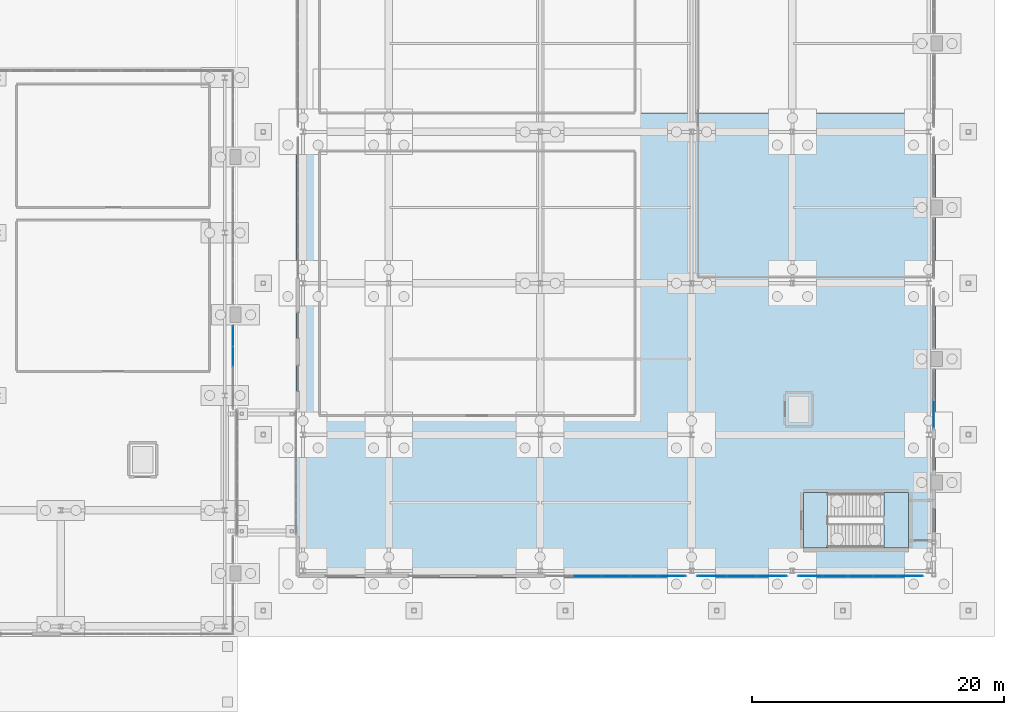
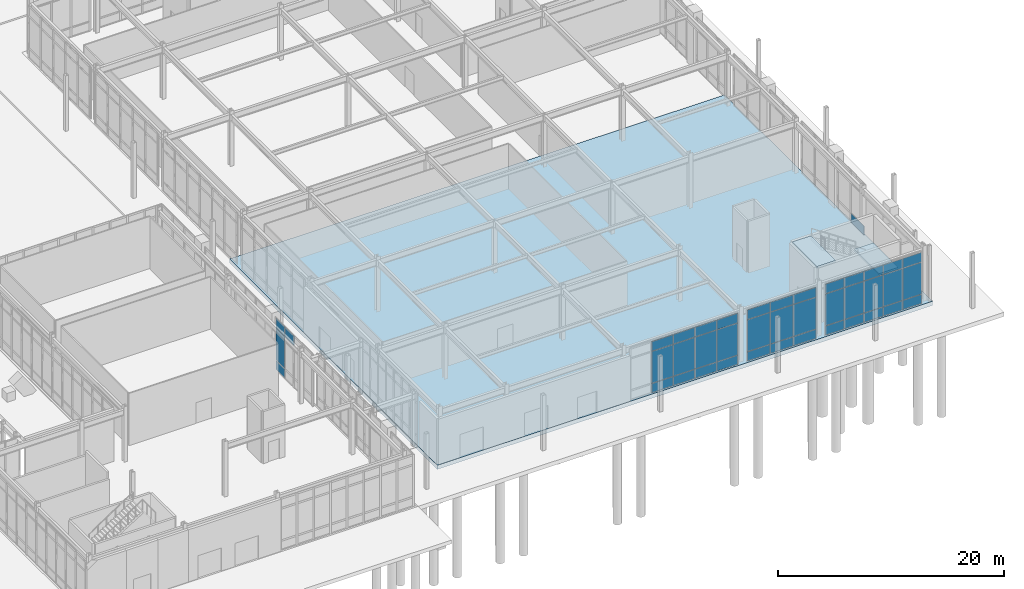
# One storey, part 89 of 143: 41 plates, 3 slabs, 6 elements without a shape of their own.
"""IFC4 building model written with IfcOpenShell, lengths in metres."""

import ifcopenshell
import ifcopenshell.guid

model = None  # the IFC model being written
_history = None  # IfcOwnerHistory: only IFC2X3 demands one
_inside = {}  # id of a spatial element -> (the spatial element, [elements in it])
_under = {}  # id of a project, library or spatial element -> (it, [spatial elements below it])
_declared = {}  # id of a project -> (the project, [libraries it declares])
_typed = {}  # id of a type object -> (the type object, [elements of that type])
_made_of = {}  # id of a material, layer set ... -> (it, [elements and type objects made of it])


def new_model(schema):
    """Start an empty IFC model of exactly this schema.

    Asked for "IFC4X3", IfcOpenShell would pick the latest addendum, in which some entities
    have other attributes; the version numbers below select the first issue.
    IFC2X3 requires an IfcOwnerHistory on every rooted entity: one is made here for all.
    """
    global model, _history
    if schema == "IFC4X3":
        model = ifcopenshell.file(schema_version=(4, 3, 0, 0))
    else:
        model = ifcopenshell.file(schema=schema)
    _inside.clear()
    _under.clear()
    _declared.clear()
    _typed.clear()
    _made_of.clear()
    _history = None
    if model.schema == "IFC2X3":
        org = make("IfcOrganization", Name="unknown")
        user = make(
            "IfcPersonAndOrganization",
            ThePerson=make("IfcPerson", FamilyName="unknown"),
            TheOrganization=org,
        )
        app = make(
            "IfcApplication",
            ApplicationDeveloper=org,
            Version="unknown",
            ApplicationFullName="unknown",
            ApplicationIdentifier="unknown",
        )
        _history = make(
            "IfcOwnerHistory",
            OwningUser=user,
            OwningApplication=app,
            ChangeAction="ADDED",
            CreationDate=0,
        )
    return model


def make(cls, **values):
    """One entity of the class cls with the attributes given. An attribute that is None is left unset."""
    return model.create_entity(
        cls, **{name: value for name, value in values.items() if value is not None}
    )


def rooted(cls, **values):
    """An entity with a GlobalId (a new one), such as an element, a storey or a relation."""
    return make(cls, GlobalId=ifcopenshell.guid.new(), OwnerHistory=_history, **values)


def si_unit(unit_type, name, prefix=None):
    """IfcSIUnit, for example si_unit("LENGTHUNIT", "METRE", prefix="MILLI")."""
    return make("IfcSIUnit", UnitType=unit_type, Prefix=prefix, Name=name)


def derived_unit(unit_type, elements):
    """IfcDerivedUnit: a product of units, each with its exponent."""
    return make(
        "IfcDerivedUnit",
        Elements=[
            make("IfcDerivedUnitElement", Unit=unit, Exponent=power)
            for unit, power in elements
        ],
        UnitType=unit_type,
    )


def assignment(units):
    """IfcUnitAssignment: the units of a project."""
    return None if units is None else make("IfcUnitAssignment", Units=units)


def point(xyz):
    """IfcCartesianPoint."""
    return None if xyz is None else make("IfcCartesianPoint", Coordinates=xyz)


def direction(xyz):
    """IfcDirection."""
    return None if xyz is None else make("IfcDirection", DirectionRatios=xyz)


def frame(location, z_axis=None, x_axis=None):
    """IfcAxis2Placement3D, a coordinate frame: its origin and axes. An axis left out is left unset."""
    return make(
        "IfcAxis2Placement3D",
        Location=point(location),
        Axis=direction(z_axis),
        RefDirection=direction(x_axis),
    )


def frame_2d(location, x_axis=None):
    """IfcAxis2Placement2D, a coordinate frame in the plane: its origin and x axis."""
    return make(
        "IfcAxis2Placement2D", Location=point(location), RefDirection=direction(x_axis)
    )


def origin():
    """The frame at (0, 0, 0) with its axes left unset."""
    return frame((0.0, 0.0, 0.0))


def origin_2d():
    """The frame at (0, 0) in the plane with its x axis left unset."""
    return frame_2d((0.0, 0.0))


def place(relative_to, where):
    """IfcLocalPlacement: puts the frame where relative to a parent placement (None: the world)."""
    return make(
        "IfcLocalPlacement", PlacementRelTo=relative_to, RelativePlacement=where
    )


def context(
    kind, dimensions, precision=None, world=None, true_north=None, identifier=None
):
    """IfcGeometricRepresentationContext, for example the 3D "Model" context."""
    return make(
        "IfcGeometricRepresentationContext",
        ContextIdentifier=identifier,
        ContextType=kind,
        CoordinateSpaceDimension=dimensions,
        Precision=precision,
        WorldCoordinateSystem=world,
        TrueNorth=true_north,
    )


def subcontext(parent, identifier, kind, view, scale=None):
    """IfcGeometricRepresentationSubContext, for example "Body" below "Model"."""
    return make(
        "IfcGeometricRepresentationSubContext",
        ContextIdentifier=identifier,
        ContextType=kind,
        ParentContext=parent,
        TargetScale=scale,
        TargetView=view,
    )


def project(units=None, contexts=None):
    """IfcProject with its units and contexts."""
    return rooted(
        "IfcProject",
        Name="project",
        RepresentationContexts=contexts,
        UnitsInContext=assignment(units),
    )


def spatial(cls, under=None, at=None, **own):
    """A site, building, storey or space (cls), placed at a placement, below another one or the project."""
    s = rooted(cls, ObjectPlacement=at, **own)
    if under is not None:
        _under.setdefault(under.id(), (under, []))[1].append(s)
    return s


def polyline(points):
    """IfcPolyline through the points."""
    return make("IfcPolyline", Points=[point(p) for p in points])


def profile(cls, at=None, kind="AREA", **sizes):
    """A parametric profile (cls). Its sizes go by their IFC names, for example OverallWidth=200.0."""
    return make(cls, ProfileType=kind, Position=at, **sizes)


def rectangle(**sizes):
    """IfcRectangleProfileDef."""
    return profile("IfcRectangleProfileDef", **sizes)


def outline(outer, holes=None, kind="AREA"):
    """IfcArbitraryClosedProfileDef: a profile drawn as a closed curve; with holes, ...WithVoids."""
    if holes is None:
        return make("IfcArbitraryClosedProfileDef", ProfileType=kind, OuterCurve=outer)
    return make(
        "IfcArbitraryProfileDefWithVoids",
        ProfileType=kind,
        OuterCurve=outer,
        InnerCurves=holes,
    )


def extrude(swept, where, along, depth):
    """IfcExtrudedAreaSolid: the profile swept, set in the frame where, extruded along a direction by depth."""
    return make(
        "IfcExtrudedAreaSolid",
        SweptArea=swept,
        Position=where,
        ExtrudedDirection=direction(along),
        Depth=depth,
    )


def shape(context_of_items, identifier, shape_type, items):
    """IfcShapeRepresentation: the items that make up one representation, for example the "Body"."""
    return make(
        "IfcShapeRepresentation",
        ContextOfItems=context_of_items,
        RepresentationIdentifier=identifier,
        RepresentationType=shape_type,
        Items=items,
    )


def material(Name=None, Category=None):
    """IfcMaterial."""
    return make("IfcMaterial", Name=Name, Category=Category)


def layer(
    of_material, thickness, ventilated=None, Name=None, Category=None, Priority=None
):
    """IfcMaterialLayer: one layer of a wall or slab, of a material (None: an air gap)."""
    return make(
        "IfcMaterialLayer",
        Material=of_material,
        LayerThickness=thickness,
        IsVentilated=ventilated,
        Name=Name,
        Category=Category,
        Priority=Priority,
    )


def layer_set(layers, Name=None):
    """IfcMaterialLayerSet."""
    return make("IfcMaterialLayerSet", MaterialLayers=layers, LayerSetName=Name)


def made_of(thing, what):
    """Note that an element or type object is made of a material, layer set ...; save() writes the relation."""
    if what is not None:
        _made_of.setdefault(what.id(), (what, []))[1].append(thing)
    return thing


def type_object(cls, material=None, **own):
    """A type object (cls), such as IfcWallType, which elements share."""
    return made_of(rooted(cls, **own), material)


def element(
    cls,
    number,
    at=None,
    inside=None,
    cuts=None,
    type_object=None,
    material=None,
    context=None,
    identifier="Body",
    shape_type=None,
    held_by="IfcProductDefinitionShape",
    body=None,
    shapes=None,
    **own,
):
    """One element of the class cls, such as IfcWall. Its Tag is "e" and its number.

    at: its placement. inside: the storey or other place that contains it. cuts: it is an
    opening in that element (IfcRelVoidsElement). A single representation is given by context,
    identifier, shape_type and body (its items); several are given by shapes. held_by: the class
    of the entity that holds the representations. save() writes the other relations.
    """
    e = rooted(cls, Tag="e%d" % number, ObjectPlacement=at, **own)
    if body is not None:
        shapes = [shape(context, identifier, shape_type, body)]
    if shapes is not None:
        e.Representation = make(held_by, Representations=shapes)
    if inside is not None:
        _inside.setdefault(inside.id(), (inside, []))[1].append(e)
    if cuts is not None:
        rooted(
            "IfcRelVoidsElement", RelatingBuildingElement=cuts, RelatedOpeningElement=e
        )
    if type_object is not None:
        _typed.setdefault(type_object.id(), (type_object, []))[1].append(e)
    return made_of(e, material)


def aggregate(whole, parts):
    """IfcRelAggregates: a whole, such as a stair, and the parts it consists of."""
    return rooted("IfcRelAggregates", RelatingObject=whole, RelatedObjects=parts)


def save(model, path):
    """Write the relations noted so far, then the file.

    IfcRelAggregates (storeys below a building ...), IfcRelContainedInSpatialStructure (elements
    in a storey), IfcRelDefinesByType, IfcRelAssociatesMaterial and IfcRelDeclares: one each for
    every whole, place, type object, material and project.
    """
    for whole, parts in _under.values():
        aggregate(whole, parts)
    for where, things in _inside.values():
        rooted(
            "IfcRelContainedInSpatialStructure",
            RelatedElements=things,
            RelatingStructure=where,
        )
    for kind, things in _typed.values():
        rooted("IfcRelDefinesByType", RelatedObjects=things, RelatingType=kind)
    for what, things in _made_of.values():
        rooted("IfcRelAssociatesMaterial", RelatedObjects=things, RelatingMaterial=what)
    for by, libraries in _declared.values():
        rooted("IfcRelDeclares", RelatingContext=by, RelatedDefinitions=libraries)
    model.write(path)


model = new_model("IFC4")

# Units and contexts
model_context = context("Model", 3, precision=1e-05, world=origin(), true_north=direction((0.0, 1.0)))
body_context = subcontext(model_context, "Body", "Model", "MODEL_VIEW")
ifc_project = project(units=[si_unit("LENGTHUNIT", "METRE"), si_unit("AREAUNIT", "SQUARE_METRE"), si_unit("VOLUMEUNIT", "CUBIC_METRE"), si_unit("PLANEANGLEUNIT", "RADIAN"), si_unit("MASSUNIT", "GRAM", prefix="KILO"), derived_unit("THERMALTRANSMITTANCEUNIT", [(si_unit("MASSUNIT", "GRAM", prefix="KILO"), 1), (si_unit("TIMEUNIT", "SECOND"), -3), (si_unit("THERMODYNAMICTEMPERATUREUNIT", "KELVIN"), -1)])], contexts=[model_context])

# Site, building, storey
site_placement = place(None, origin())
site = spatial("IfcSite", under=ifc_project, at=site_placement, CompositionType="ELEMENT")
building_placement = place(site_placement, origin())
building = spatial("IfcBuilding", under=site, at=building_placement, Name="Valcora Ridge Arena", CompositionType="ELEMENT")
storey_placement = place(building_placement, origin())
storey = spatial("IfcBuildingStorey", under=building, at=storey_placement, Name="L00", CompositionType="ELEMENT", Elevation=0.0)

# Stair, slabs
ifc_material_1 = material(Name="Concrete C40/50", Category="concrete")
stair_type = type_object("IfcStairType", Name="TY-STAIR-ST11-60", PredefinedType="HALF_TURN_STAIR", material=ifc_material_1)
stair_placement = place(storey_placement, origin())
stair = element("IfcStair", 1, at=stair_placement, inside=storey, type_object=stair_type, Name="ST11-60 STR-CR-0045", PredefinedType="HALF_TURN_STAIR")
ifc_layer_1 = layer(ifc_material_1, 0.199951171875, Name="Concrete C40/50")
ifc_layer_set_1 = layer_set([ifc_layer_1], Name="Concrete C40/50")
slab_type_1 = type_object("IfcSlabType", Name="TY-LAND-ST11-60", PredefinedType="LANDING", material=ifc_layer_set_1)
slab_1_placement = place(storey_placement, frame((0.0, 0.0, 2.800048828125)))
slab_1 = element("IfcSlab", 2, at=slab_1_placement, type_object=slab_type_1, Name="ST11-60 landing 1", PredefinedType="LANDING", context=body_context, shape_type="SweptSolid", body=[
    extrude(outline(polyline([(183.25, 7.001953125), (185.197998046875, 7.001953125), (185.197998046875, 11.39794921875), (183.25, 11.39794921875), (183.25, 7.001953125)])), origin(), (0.0, 0.0, 1.0), 0.199951171875),
])
slab_2_placement = place(storey_placement, frame((0.0, 0.0, 5.800048828125)))
slab_2 = element("IfcSlab", 3, at=slab_2_placement, type_object=slab_type_1, Name="ST11-60 landing 2", PredefinedType="LANDING", context=body_context, shape_type="SweptSolid", body=[
    extrude(outline(polyline([(176.882080078125, 7.001953125), (178.81005859375, 7.001953125), (178.81005859375, 11.39794921875), (176.882080078125, 11.39794921875), (176.882080078125, 7.001953125)])), origin(), (0.0, 0.0, 1.0), 0.199951171875),
])
aggregate(stair, [slab_1, slab_2])

# Curtain wall, plates
ifc_material_2 = material(Name="Anodised dark bronze architectural aluminium 6063-T6", Category="aluminium")
ifc_layer_2 = layer(ifc_material_2, 0.179931640625, Name="Anodised dark bronze architectural aluminium 6063-T6")
ifc_layer_set_2 = layer_set([ifc_layer_2], Name="Anodised dark bronze architectural aluminium 6063-T6")
curtain_wall_type_1 = type_object("IfcCurtainWallType", Name="TY-CURTAINWALL-CW-V3-LANCET-066X56", PredefinedType="NOTDEFINED", material=ifc_layer_set_2)
curtain_wall_1_placement = place(storey_placement, origin())
curtain_wall_1 = element("IfcCurtainWall", 4, at=curtain_wall_1_placement, inside=storey, type_object=curtain_wall_type_1, Name="CW-V3-LANCET-066X56 CW-0004", PredefinedType="NOTDEFINED")
ifc_material_3 = material(Name="Low-iron solar-control double glazing SHGC 0.28", Category="glass")
ifc_layer_3 = layer(ifc_material_3, 0.031982421875, Name="Low-iron solar-control double glazing SHGC 0.28")
ifc_layer_set_3 = layer_set([ifc_layer_3], Name="Low-iron solar-control double glazing SHGC 0.28")
plate_type_1 = type_object("IfcPlateType", Name="TY-PLT-CWP-1562X0960", PredefinedType="CURTAIN_PANEL", material=ifc_layer_set_3)
plate_1_placement = place(storey_placement, frame((131.64990234375, 23.819091796875, 0.06005859375), z_axis=(0.0, 0.0, 1.0), x_axis=(0.0, 1.0, 0.0)))
plate_1 = element("IfcPlate", 5, at=plate_1_placement, type_object=plate_type_1, Name="CW-0004/P03-00", PredefinedType="CURTAIN_PANEL", context=body_context, shape_type="SweptSolid", body=[
    extrude(rectangle(XDim=1.56201171875, YDim=0.031982421875, at=origin_2d()), origin(), (0.0, 0.0, 1.0), 0.9599609375),
])
ifc_layer_4 = layer(ifc_material_3, 0.031982421875, Name="Low-iron solar-control double glazing SHGC 0.28")
ifc_layer_set_4 = layer_set([ifc_layer_4], Name="Low-iron solar-control double glazing SHGC 0.28")
plate_type_2 = type_object("IfcPlateType", Name="TY-PLT-CWP-1562X1010", PredefinedType="CURTAIN_PANEL", material=ifc_layer_set_4)
plate_2_placement = place(storey_placement, frame((131.64990234375, 23.819091796875, 4.56982421875), z_axis=(0.0, 0.0, 1.0), x_axis=(0.0, 1.0, 0.0)))
plate_2 = element("IfcPlate", 6, at=plate_2_placement, type_object=plate_type_2, Name="CW-0004/P03-02", PredefinedType="CURTAIN_PANEL", context=body_context, shape_type="SweptSolid", body=[
    extrude(rectangle(XDim=1.56201171875, YDim=0.031982421875, at=origin_2d()), origin(), (0.0, 0.0, 1.0), 1.010009765625),
])
ifc_layer_5 = layer(ifc_material_3, 0.031982421875, Name="Low-iron solar-control double glazing SHGC 0.28")
ifc_layer_set_5 = layer_set([ifc_layer_5], Name="Low-iron solar-control double glazing SHGC 0.28")
plate_type_3 = type_object("IfcPlateType", Name="TY-PLT-CWP-1562X3430", PredefinedType="CURTAIN_PANEL", material=ifc_layer_set_5)
plate_3_placement = place(storey_placement, frame((131.64990234375, 23.819091796875, 1.080078125), z_axis=(0.0, 0.0, 1.0), x_axis=(0.0, 1.0, 0.0)))
plate_3 = element("IfcPlate", 7, at=plate_3_placement, type_object=plate_type_3, Name="CW-0004/P03-01", PredefinedType="CURTAIN_PANEL", context=body_context, shape_type="SweptSolid", body=[
    extrude(rectangle(XDim=1.56201171875, YDim=0.031982421875, at=origin_2d()), origin(), (0.0, 0.0, 1.0), 3.429931640625),
])
ifc_layer_6 = layer(ifc_material_3, 0.031982421875, Name="Low-iron solar-control double glazing SHGC 0.28")
ifc_layer_set_6 = layer_set([ifc_layer_6], Name="Low-iron solar-control double glazing SHGC 0.28")
plate_type_4 = type_object("IfcPlateType", Name="TY-PLT-CWP-1593X1010", PredefinedType="CURTAIN_PANEL", material=ifc_layer_set_6)
plate_4_placement = place(storey_placement, frame((131.64990234375, 22.181396484375, 4.56982421875), z_axis=(0.0, 0.0, 1.0), x_axis=(0.0, 1.0, 0.0)))
plate_4 = element("IfcPlate", 8, at=plate_4_placement, type_object=plate_type_4, Name="CW-0004/P02-02", PredefinedType="CURTAIN_PANEL", context=body_context, shape_type="SweptSolid", body=[
    extrude(rectangle(XDim=1.593017578125, YDim=0.031982421875, at=origin_2d()), origin(), (0.0, 0.0, 1.0), 1.010009765625),
])
aggregate(curtain_wall_1, [plate_4, plate_1, plate_3, plate_2])

ifc_layer_7 = layer(ifc_material_2, 0.179931640625, Name="Anodised dark bronze architectural aluminium 6063-T6")
ifc_layer_set_7 = layer_set([ifc_layer_7], Name="Anodised dark bronze architectural aluminium 6063-T6")
curtain_wall_type_2 = type_object("IfcCurtainWallType", Name="TY-CURTAINWALL-CW-V2-GLAZ-099X56", PredefinedType="NOTDEFINED", material=ifc_layer_set_7)
curtain_wall_2_placement = place(storey_placement, origin())
curtain_wall_2 = element("IfcCurtainWall", 9, at=curtain_wall_2_placement, inside=storey, type_object=curtain_wall_type_2, Name="CW-V2-GLAZ-099X56 CW-0027", PredefinedType="NOTDEFINED")
ifc_layer_8 = layer(ifc_material_3, 0.028076171875, Name="Low-iron solar-control double glazing SHGC 0.28")
ifc_layer_set_8 = layer_set([ifc_layer_8], Name="Low-iron solar-control double glazing SHGC 0.28")
plate_type_5 = type_object("IfcPlateType", Name="TY-PLT-CWP-1894X0975", PredefinedType="CURTAIN_PANEL", material=ifc_layer_set_8)
plate_5_placement = place(storey_placement, frame((177.446533203125, 4.800048828125, 0.050048828125), z_axis=(0.0, 0.0, 1.0), x_axis=(1.0, 0.0, 0.0)))
plate_5 = element("IfcPlate", 10, at=plate_5_placement, type_object=plate_type_5, Name="CW-0027/P00-00", PredefinedType="CURTAIN_PANEL", context=body_context, shape_type="SweptSolid", body=[
    extrude(rectangle(XDim=1.89404296875, YDim=0.028076171875, at=origin_2d()), origin(), (0.0, 0.0, 1.0), 0.97509765625),
])
plate_6_placement = place(storey_placement, frame((185.353515625, 4.800048828125, 0.050048828125), z_axis=(0.0, 0.0, 1.0), x_axis=(1.0, 0.0, 0.0)))
plate_6 = element("IfcPlate", 11, at=plate_6_placement, type_object=plate_type_5, Name="CW-0027/P04-00", PredefinedType="CURTAIN_PANEL", context=body_context, shape_type="SweptSolid", body=[
    extrude(rectangle(XDim=1.89404296875, YDim=0.028076171875, at=origin_2d()), origin(), (0.0, 0.0, 1.0), 0.97509765625),
])
ifc_layer_9 = layer(ifc_material_3, 0.028076171875, Name="Low-iron solar-control double glazing SHGC 0.28")
ifc_layer_set_9 = layer_set([ifc_layer_9], Name="Low-iron solar-control double glazing SHGC 0.28")
plate_type_6 = type_object("IfcPlateType", Name="TY-PLT-CWP-1894X1025", PredefinedType="CURTAIN_PANEL", material=ifc_layer_set_9)
plate_7_placement = place(storey_placement, frame((177.446533203125, 4.800048828125, 4.545166015625), z_axis=(0.0, 0.0, 1.0), x_axis=(1.0, 0.0, 0.0)))
plate_7 = element("IfcPlate", 12, at=plate_7_placement, type_object=plate_type_6, Name="CW-0027/P00-02", PredefinedType="CURTAIN_PANEL", context=body_context, shape_type="SweptSolid", body=[
    extrude(rectangle(XDim=1.89404296875, YDim=0.028076171875, at=origin_2d()), origin(), (0.0, 0.0, 1.0), 1.02490234375),
])
plate_8_placement = place(storey_placement, frame((185.353515625, 4.800048828125, 4.545166015625), z_axis=(0.0, 0.0, 1.0), x_axis=(1.0, 0.0, 0.0)))
plate_8 = element("IfcPlate", 13, at=plate_8_placement, type_object=plate_type_6, Name="CW-0027/P04-02", PredefinedType="CURTAIN_PANEL", context=body_context, shape_type="SweptSolid", body=[
    extrude(rectangle(XDim=1.89404296875, YDim=0.028076171875, at=origin_2d()), origin(), (0.0, 0.0, 1.0), 1.02490234375),
])
ifc_layer_10 = layer(ifc_material_3, 0.028076171875, Name="Low-iron solar-control double glazing SHGC 0.28")
ifc_layer_set_10 = layer_set([ifc_layer_10], Name="Low-iron solar-control double glazing SHGC 0.28")
plate_type_7 = type_object("IfcPlateType", Name="TY-PLT-CWP-1894X3420", PredefinedType="CURTAIN_PANEL", material=ifc_layer_set_10)
plate_9_placement = place(storey_placement, frame((177.446533203125, 4.800048828125, 1.074951171875), z_axis=(0.0, 0.0, 1.0), x_axis=(1.0, 0.0, 0.0)))
plate_9 = element("IfcPlate", 14, at=plate_9_placement, type_object=plate_type_7, Name="CW-0027/P00-01", PredefinedType="CURTAIN_PANEL", context=body_context, shape_type="SweptSolid", body=[
    extrude(rectangle(XDim=1.89404296875, YDim=0.028076171875, at=origin_2d()), origin(), (0.0, 0.0, 1.0), 3.419921875),
])
plate_10_placement = place(storey_placement, frame((185.353515625, 4.800048828125, 1.074951171875), z_axis=(0.0, 0.0, 1.0), x_axis=(1.0, 0.0, 0.0)))
plate_10 = element("IfcPlate", 15, at=plate_10_placement, type_object=plate_type_7, Name="CW-0027/P04-01", PredefinedType="CURTAIN_PANEL", context=body_context, shape_type="SweptSolid", body=[
    extrude(rectangle(XDim=1.89404296875, YDim=0.028076171875, at=origin_2d()), origin(), (0.0, 0.0, 1.0), 3.419921875),
])
ifc_layer_11 = layer(ifc_material_3, 0.028076171875, Name="Low-iron solar-control double glazing SHGC 0.28")
ifc_layer_set_11 = layer_set([ifc_layer_11], Name="Low-iron solar-control double glazing SHGC 0.28")
plate_type_8 = type_object("IfcPlateType", Name="TY-PLT-CWP-1924X0975", PredefinedType="CURTAIN_PANEL", material=ifc_layer_set_11)
plate_11_placement = place(storey_placement, frame((179.41552734375, 4.800048828125, 0.050048828125), z_axis=(0.0, 0.0, 1.0), x_axis=(1.0, 0.0, 0.0)))
plate_11 = element("IfcPlate", 16, at=plate_11_placement, type_object=plate_type_8, Name="CW-0027/P01-00", PredefinedType="CURTAIN_PANEL", context=body_context, shape_type="SweptSolid", body=[
    extrude(rectangle(XDim=1.924072265625, YDim=0.028076171875, at=origin_2d()), origin(), (0.0, 0.0, 1.0), 0.97509765625),
])
plate_12_placement = place(storey_placement, frame((183.384521484375, 4.800048828125, 0.050048828125), z_axis=(0.0, 0.0, 1.0), x_axis=(1.0, 0.0, 0.0)))
plate_12 = element("IfcPlate", 17, at=plate_12_placement, type_object=plate_type_8, Name="CW-0027/P03-00", PredefinedType="CURTAIN_PANEL", context=body_context, shape_type="SweptSolid", body=[
    extrude(rectangle(XDim=1.924072265625, YDim=0.028076171875, at=origin_2d()), origin(), (0.0, 0.0, 1.0), 0.97509765625),
])
ifc_layer_12 = layer(ifc_material_3, 0.028076171875, Name="Low-iron solar-control double glazing SHGC 0.28")
ifc_layer_set_12 = layer_set([ifc_layer_12], Name="Low-iron solar-control double glazing SHGC 0.28")
plate_type_9 = type_object("IfcPlateType", Name="TY-PLT-CWP-1924X1025", PredefinedType="CURTAIN_PANEL", material=ifc_layer_set_12)
plate_13_placement = place(storey_placement, frame((179.41552734375, 4.800048828125, 4.545166015625), z_axis=(0.0, 0.0, 1.0), x_axis=(1.0, 0.0, 0.0)))
plate_13 = element("IfcPlate", 18, at=plate_13_placement, type_object=plate_type_9, Name="CW-0027/P01-02", PredefinedType="CURTAIN_PANEL", context=body_context, shape_type="SweptSolid", body=[
    extrude(rectangle(XDim=1.924072265625, YDim=0.028076171875, at=origin_2d()), origin(), (0.0, 0.0, 1.0), 1.02490234375),
])
plate_14_placement = place(storey_placement, frame((183.384521484375, 4.800048828125, 4.545166015625), z_axis=(0.0, 0.0, 1.0), x_axis=(1.0, 0.0, 0.0)))
plate_14 = element("IfcPlate", 19, at=plate_14_placement, type_object=plate_type_9, Name="CW-0027/P03-02", PredefinedType="CURTAIN_PANEL", context=body_context, shape_type="SweptSolid", body=[
    extrude(rectangle(XDim=1.924072265625, YDim=0.028076171875, at=origin_2d()), origin(), (0.0, 0.0, 1.0), 1.02490234375),
])
ifc_layer_13 = layer(ifc_material_3, 0.028076171875, Name="Low-iron solar-control double glazing SHGC 0.28")
ifc_layer_set_13 = layer_set([ifc_layer_13], Name="Low-iron solar-control double glazing SHGC 0.28")
plate_type_10 = type_object("IfcPlateType", Name="TY-PLT-CWP-1924X3420", PredefinedType="CURTAIN_PANEL", material=ifc_layer_set_13)
plate_15_placement = place(storey_placement, frame((179.41552734375, 4.800048828125, 1.074951171875), z_axis=(0.0, 0.0, 1.0), x_axis=(1.0, 0.0, 0.0)))
plate_15 = element("IfcPlate", 20, at=plate_15_placement, type_object=plate_type_10, Name="CW-0027/P01-01", PredefinedType="CURTAIN_PANEL", context=body_context, shape_type="SweptSolid", body=[
    extrude(rectangle(XDim=1.924072265625, YDim=0.028076171875, at=origin_2d()), origin(), (0.0, 0.0, 1.0), 3.419921875),
])
plate_16_placement = place(storey_placement, frame((183.384521484375, 4.800048828125, 1.074951171875), z_axis=(0.0, 0.0, 1.0), x_axis=(1.0, 0.0, 0.0)))
plate_16 = element("IfcPlate", 21, at=plate_16_placement, type_object=plate_type_10, Name="CW-0027/P03-01", PredefinedType="CURTAIN_PANEL", context=body_context, shape_type="SweptSolid", body=[
    extrude(rectangle(XDim=1.924072265625, YDim=0.028076171875, at=origin_2d()), origin(), (0.0, 0.0, 1.0), 3.419921875),
])
ifc_layer_14 = layer(ifc_material_3, 0.028076171875, Name="Low-iron solar-control double glazing SHGC 0.28")
ifc_layer_set_14 = layer_set([ifc_layer_14], Name="Low-iron solar-control double glazing SHGC 0.28")
plate_type_11 = type_object("IfcPlateType", Name="TY-PLT-CWP-1925X0975", PredefinedType="CURTAIN_PANEL", material=ifc_layer_set_14)
plate_17_placement = place(storey_placement, frame((181.39990234375, 4.800048828125, 0.050048828125), z_axis=(0.0, 0.0, 1.0), x_axis=(1.0, 0.0, 0.0)))
plate_17 = element("IfcPlate", 22, at=plate_17_placement, type_object=plate_type_11, Name="CW-0027/P02-00", PredefinedType="CURTAIN_PANEL", context=body_context, shape_type="SweptSolid", body=[
    extrude(rectangle(XDim=1.925048828125, YDim=0.028076171875, at=origin_2d()), origin(), (0.0, 0.0, 1.0), 0.97509765625),
])
ifc_layer_15 = layer(ifc_material_3, 0.028076171875, Name="Low-iron solar-control double glazing SHGC 0.28")
ifc_layer_set_15 = layer_set([ifc_layer_15], Name="Low-iron solar-control double glazing SHGC 0.28")
plate_type_12 = type_object("IfcPlateType", Name="TY-PLT-CWP-1925X1025", PredefinedType="CURTAIN_PANEL", material=ifc_layer_set_15)
plate_18_placement = place(storey_placement, frame((181.39990234375, 4.800048828125, 4.545166015625), z_axis=(0.0, 0.0, 1.0), x_axis=(1.0, 0.0, 0.0)))
plate_18 = element("IfcPlate", 23, at=plate_18_placement, type_object=plate_type_12, Name="CW-0027/P02-02", PredefinedType="CURTAIN_PANEL", context=body_context, shape_type="SweptSolid", body=[
    extrude(rectangle(XDim=1.925048828125, YDim=0.028076171875, at=origin_2d()), origin(), (0.0, 0.0, 1.0), 1.02490234375),
])
ifc_layer_16 = layer(ifc_material_3, 0.028076171875, Name="Low-iron solar-control double glazing SHGC 0.28")
ifc_layer_set_16 = layer_set([ifc_layer_16], Name="Low-iron solar-control double glazing SHGC 0.28")
plate_type_13 = type_object("IfcPlateType", Name="TY-PLT-CWP-1925X3420", PredefinedType="CURTAIN_PANEL", material=ifc_layer_set_16)
plate_19_placement = place(storey_placement, frame((181.39990234375, 4.800048828125, 1.074951171875), z_axis=(0.0, 0.0, 1.0), x_axis=(1.0, 0.0, 0.0)))
plate_19 = element("IfcPlate", 24, at=plate_19_placement, type_object=plate_type_13, Name="CW-0027/P02-01", PredefinedType="CURTAIN_PANEL", context=body_context, shape_type="SweptSolid", body=[
    extrude(rectangle(XDim=1.925048828125, YDim=0.028076171875, at=origin_2d()), origin(), (0.0, 0.0, 1.0), 3.419921875),
])
aggregate(curtain_wall_2, [plate_5, plate_9, plate_7, plate_11, plate_15, plate_13, plate_17, plate_19, plate_18, plate_12, plate_16, plate_14, plate_6, plate_10, plate_8])

ifc_layer_17 = layer(ifc_material_2, 0.179931640625, Name="Anodised dark bronze architectural aluminium 6063-T6")
ifc_layer_set_17 = layer_set([ifc_layer_17], Name="Anodised dark bronze architectural aluminium 6063-T6")
curtain_wall_type_3 = type_object("IfcCurtainWallType", Name="TY-CURTAINWALL-CW-V2-GLAZ-111X56", PredefinedType="NOTDEFINED", material=ifc_layer_set_17)
curtain_wall_3_placement = place(storey_placement, origin())
curtain_wall_3 = element("IfcCurtainWall", 25, at=curtain_wall_3_placement, inside=storey, type_object=curtain_wall_type_3, Name="CW-V2-GLAZ-111X56 CW-0025", PredefinedType="NOTDEFINED")
ifc_layer_18 = layer(ifc_material_3, 0.028076171875, Name="Low-iron solar-control double glazing SHGC 0.28")
ifc_layer_set_18 = layer_set([ifc_layer_18], Name="Low-iron solar-control double glazing SHGC 0.28")
plate_type_14 = type_object("IfcPlateType", Name="TY-PLT-CWP-2134X0975", PredefinedType="CURTAIN_PANEL", material=ifc_layer_set_18)
plate_20_placement = place(storey_placement, frame((166.43359375, 4.800048828125, 0.050048828125), z_axis=(0.0, 0.0, 1.0), x_axis=(1.0, 0.0, 0.0)))
plate_20 = element("IfcPlate", 26, at=plate_20_placement, type_object=plate_type_14, Name="CW-0025/P04-00", PredefinedType="CURTAIN_PANEL", context=body_context, shape_type="SweptSolid", body=[
    extrude(rectangle(XDim=2.134033203125, YDim=0.028076171875, at=origin_2d()), origin(), (0.0, 0.0, 1.0), 0.97509765625),
])
ifc_layer_19 = layer(ifc_material_3, 0.028076171875, Name="Low-iron solar-control double glazing SHGC 0.28")
ifc_layer_set_19 = layer_set([ifc_layer_19], Name="Low-iron solar-control double glazing SHGC 0.28")
plate_type_15 = type_object("IfcPlateType", Name="TY-PLT-CWP-2134X1025", PredefinedType="CURTAIN_PANEL", material=ifc_layer_set_19)
plate_21_placement = place(storey_placement, frame((166.43359375, 4.800048828125, 4.545166015625), z_axis=(0.0, 0.0, 1.0), x_axis=(1.0, 0.0, 0.0)))
plate_21 = element("IfcPlate", 27, at=plate_21_placement, type_object=plate_type_15, Name="CW-0025/P04-02", PredefinedType="CURTAIN_PANEL", context=body_context, shape_type="SweptSolid", body=[
    extrude(rectangle(XDim=2.134033203125, YDim=0.028076171875, at=origin_2d()), origin(), (0.0, 0.0, 1.0), 1.02490234375),
])
ifc_layer_20 = layer(ifc_material_3, 0.028076171875, Name="Low-iron solar-control double glazing SHGC 0.28")
ifc_layer_set_20 = layer_set([ifc_layer_20], Name="Low-iron solar-control double glazing SHGC 0.28")
plate_type_16 = type_object("IfcPlateType", Name="TY-PLT-CWP-2134X3420", PredefinedType="CURTAIN_PANEL", material=ifc_layer_set_20)
plate_22_placement = place(storey_placement, frame((166.43359375, 4.800048828125, 1.074951171875), z_axis=(0.0, 0.0, 1.0), x_axis=(1.0, 0.0, 0.0)))
plate_22 = element("IfcPlate", 28, at=plate_22_placement, type_object=plate_type_16, Name="CW-0025/P04-01", PredefinedType="CURTAIN_PANEL", context=body_context, shape_type="SweptSolid", body=[
    extrude(rectangle(XDim=2.134033203125, YDim=0.028076171875, at=origin_2d()), origin(), (0.0, 0.0, 1.0), 3.419921875),
])
ifc_layer_21 = layer(ifc_material_3, 0.028076171875, Name="Low-iron solar-control double glazing SHGC 0.28")
ifc_layer_set_21 = layer_set([ifc_layer_21], Name="Low-iron solar-control double glazing SHGC 0.28")
plate_type_17 = type_object("IfcPlateType", Name="TY-PLT-CWP-2164X0975", PredefinedType="CURTAIN_PANEL", material=ifc_layer_set_21)
plate_23_placement = place(storey_placement, frame((159.775390625, 4.800048828125, 0.050048828125), z_axis=(0.0, 0.0, 1.0), x_axis=(1.0, 0.0, 0.0)))
plate_23 = element("IfcPlate", 29, at=plate_23_placement, type_object=plate_type_17, Name="CW-0025/P01-00", PredefinedType="CURTAIN_PANEL", context=body_context, shape_type="SweptSolid", body=[
    extrude(rectangle(XDim=2.1640625, YDim=0.028076171875, at=origin_2d()), origin(), (0.0, 0.0, 1.0), 0.97509765625),
])
plate_24_placement = place(storey_placement, frame((164.224609375, 4.800048828125, 0.050048828125), z_axis=(0.0, 0.0, 1.0), x_axis=(1.0, 0.0, 0.0)))
plate_24 = element("IfcPlate", 30, at=plate_24_placement, type_object=plate_type_17, Name="CW-0025/P03-00", PredefinedType="CURTAIN_PANEL", context=body_context, shape_type="SweptSolid", body=[
    extrude(rectangle(XDim=2.1640625, YDim=0.028076171875, at=origin_2d()), origin(), (0.0, 0.0, 1.0), 0.97509765625),
])
ifc_layer_22 = layer(ifc_material_3, 0.028076171875, Name="Low-iron solar-control double glazing SHGC 0.28")
ifc_layer_set_22 = layer_set([ifc_layer_22], Name="Low-iron solar-control double glazing SHGC 0.28")
plate_type_18 = type_object("IfcPlateType", Name="TY-PLT-CWP-2164X1025", PredefinedType="CURTAIN_PANEL", material=ifc_layer_set_22)
plate_25_placement = place(storey_placement, frame((159.775390625, 4.800048828125, 4.545166015625), z_axis=(0.0, 0.0, 1.0), x_axis=(1.0, 0.0, 0.0)))
plate_25 = element("IfcPlate", 31, at=plate_25_placement, type_object=plate_type_18, Name="CW-0025/P01-02", PredefinedType="CURTAIN_PANEL", context=body_context, shape_type="SweptSolid", body=[
    extrude(rectangle(XDim=2.1640625, YDim=0.028076171875, at=origin_2d()), origin(), (0.0, 0.0, 1.0), 1.02490234375),
])
plate_26_placement = place(storey_placement, frame((164.224609375, 4.800048828125, 4.545166015625), z_axis=(0.0, 0.0, 1.0), x_axis=(1.0, 0.0, 0.0)))
plate_26 = element("IfcPlate", 32, at=plate_26_placement, type_object=plate_type_18, Name="CW-0025/P03-02", PredefinedType="CURTAIN_PANEL", context=body_context, shape_type="SweptSolid", body=[
    extrude(rectangle(XDim=2.1640625, YDim=0.028076171875, at=origin_2d()), origin(), (0.0, 0.0, 1.0), 1.02490234375),
])
ifc_layer_23 = layer(ifc_material_3, 0.028076171875, Name="Low-iron solar-control double glazing SHGC 0.28")
ifc_layer_set_23 = layer_set([ifc_layer_23], Name="Low-iron solar-control double glazing SHGC 0.28")
plate_type_19 = type_object("IfcPlateType", Name="TY-PLT-CWP-2164X3420", PredefinedType="CURTAIN_PANEL", material=ifc_layer_set_23)
plate_27_placement = place(storey_placement, frame((159.775390625, 4.800048828125, 1.074951171875), z_axis=(0.0, 0.0, 1.0), x_axis=(1.0, 0.0, 0.0)))
plate_27 = element("IfcPlate", 33, at=plate_27_placement, type_object=plate_type_19, Name="CW-0025/P01-01", PredefinedType="CURTAIN_PANEL", context=body_context, shape_type="SweptSolid", body=[
    extrude(rectangle(XDim=2.1640625, YDim=0.028076171875, at=origin_2d()), origin(), (0.0, 0.0, 1.0), 3.419921875),
])
plate_28_placement = place(storey_placement, frame((164.224609375, 4.800048828125, 1.074951171875), z_axis=(0.0, 0.0, 1.0), x_axis=(1.0, 0.0, 0.0)))
plate_28 = element("IfcPlate", 34, at=plate_28_placement, type_object=plate_type_19, Name="CW-0025/P03-01", PredefinedType="CURTAIN_PANEL", context=body_context, shape_type="SweptSolid", body=[
    extrude(rectangle(XDim=2.1640625, YDim=0.028076171875, at=origin_2d()), origin(), (0.0, 0.0, 1.0), 3.419921875),
])
ifc_layer_24 = layer(ifc_material_3, 0.028076171875, Name="Low-iron solar-control double glazing SHGC 0.28")
ifc_layer_set_24 = layer_set([ifc_layer_24], Name="Low-iron solar-control double glazing SHGC 0.28")
plate_type_20 = type_object("IfcPlateType", Name="TY-PLT-CWP-2165X0975", PredefinedType="CURTAIN_PANEL", material=ifc_layer_set_24)
plate_29_placement = place(storey_placement, frame((162.0, 4.800048828125, 0.050048828125), z_axis=(0.0, 0.0, 1.0), x_axis=(1.0, 0.0, 0.0)))
plate_29 = element("IfcPlate", 35, at=plate_29_placement, type_object=plate_type_20, Name="CW-0025/P02-00", PredefinedType="CURTAIN_PANEL", context=body_context, shape_type="SweptSolid", body=[
    extrude(rectangle(XDim=2.1650390625, YDim=0.028076171875, at=origin_2d()), origin(), (0.0, 0.0, 1.0), 0.97509765625),
])
ifc_layer_25 = layer(ifc_material_3, 0.028076171875, Name="Low-iron solar-control double glazing SHGC 0.28")
ifc_layer_set_25 = layer_set([ifc_layer_25], Name="Low-iron solar-control double glazing SHGC 0.28")
plate_type_21 = type_object("IfcPlateType", Name="TY-PLT-CWP-2165X1025", PredefinedType="CURTAIN_PANEL", material=ifc_layer_set_25)
plate_30_placement = place(storey_placement, frame((162.0, 4.800048828125, 4.545166015625), z_axis=(0.0, 0.0, 1.0), x_axis=(1.0, 0.0, 0.0)))
plate_30 = element("IfcPlate", 36, at=plate_30_placement, type_object=plate_type_21, Name="CW-0025/P02-02", PredefinedType="CURTAIN_PANEL", context=body_context, shape_type="SweptSolid", body=[
    extrude(rectangle(XDim=2.1650390625, YDim=0.028076171875, at=origin_2d()), origin(), (0.0, 0.0, 1.0), 1.02490234375),
])
ifc_layer_26 = layer(ifc_material_3, 0.028076171875, Name="Low-iron solar-control double glazing SHGC 0.28")
ifc_layer_set_26 = layer_set([ifc_layer_26], Name="Low-iron solar-control double glazing SHGC 0.28")
plate_type_22 = type_object("IfcPlateType", Name="TY-PLT-CWP-2165X3420", PredefinedType="CURTAIN_PANEL", material=ifc_layer_set_26)
plate_31_placement = place(storey_placement, frame((162.0, 4.800048828125, 1.074951171875), z_axis=(0.0, 0.0, 1.0), x_axis=(1.0, 0.0, 0.0)))
plate_31 = element("IfcPlate", 37, at=plate_31_placement, type_object=plate_type_22, Name="CW-0025/P02-01", PredefinedType="CURTAIN_PANEL", context=body_context, shape_type="SweptSolid", body=[
    extrude(rectangle(XDim=2.1650390625, YDim=0.028076171875, at=origin_2d()), origin(), (0.0, 0.0, 1.0), 3.419921875),
])
aggregate(curtain_wall_3, [plate_23, plate_27, plate_25, plate_29, plate_31, plate_30, plate_24, plate_28, plate_26, plate_20, plate_22, plate_21])

# Curtain wall, plate
ifc_layer_27 = layer(ifc_material_2, 0.179931640625, Name="Anodised dark bronze architectural aluminium 6063-T6")
ifc_layer_set_27 = layer_set([ifc_layer_27], Name="Anodised dark bronze architectural aluminium 6063-T6")
curtain_wall_type_4 = type_object("IfcCurtainWallType", Name="TY-CURTAINWALL-CW-V2-GLAZ-047X56", PredefinedType="NOTDEFINED", material=ifc_layer_set_27)
curtain_wall_4_placement = place(storey_placement, origin())
curtain_wall_4 = element("IfcCurtainWall", 38, at=curtain_wall_4_placement, inside=storey, type_object=curtain_wall_type_4, Name="CW-V2-GLAZ-047X56 CW-0028", PredefinedType="NOTDEFINED")
ifc_layer_28 = layer(ifc_material_3, 0.028076171875, Name="Low-iron solar-control double glazing SHGC 0.28")
ifc_layer_set_28 = layer_set([ifc_layer_28], Name="Low-iron solar-control double glazing SHGC 0.28")
plate_type_23 = type_object("IfcPlateType", Name="TY-PLT-CWP-2274X0975", PredefinedType="CURTAIN_PANEL", material=ifc_layer_set_28)
plate_32_placement = place(storey_placement, frame((187.199951171875, 17.6298828125, 0.050048828125), z_axis=(0.0, 0.0, 1.0), x_axis=(0.0, 1.0, 0.0)))
plate_32 = element("IfcPlate", 39, at=plate_32_placement, type_object=plate_type_23, Name="CW-0028/P00-00", PredefinedType="CURTAIN_PANEL", context=body_context, shape_type="SweptSolid", body=[
    extrude(rectangle(XDim=2.27392578125, YDim=0.028076171875, at=origin_2d()), origin(), (0.0, 0.0, 1.0), 0.97509765625),
])
aggregate(curtain_wall_4, [plate_32])

# Curtain wall, plates
ifc_layer_29 = layer(ifc_material_2, 0.179931640625, Name="Anodised dark bronze architectural aluminium 6063-T6")
ifc_layer_set_29 = layer_set([ifc_layer_29], Name="Anodised dark bronze architectural aluminium 6063-T6")
curtain_wall_type_5 = type_object("IfcCurtainWallType", Name="TY-CURTAINWALL-CW-V2-GLAZ-071X56", PredefinedType="NOTDEFINED", material=ifc_layer_set_29)
curtain_wall_5_placement = place(storey_placement, origin())
curtain_wall_5 = element("IfcCurtainWall", 40, at=curtain_wall_5_placement, inside=storey, type_object=curtain_wall_type_5, Name="CW-V2-GLAZ-071X56 CW-0026", PredefinedType="NOTDEFINED")
ifc_layer_30 = layer(ifc_material_3, 0.028076171875, Name="Low-iron solar-control double glazing SHGC 0.28")
ifc_layer_set_30 = layer_set([ifc_layer_30], Name="Low-iron solar-control double glazing SHGC 0.28")
plate_type_24 = type_object("IfcPlateType", Name="TY-PLT-CWP-2284X0975", PredefinedType="CURTAIN_PANEL", material=ifc_layer_set_30)
plate_33_placement = place(storey_placement, frame((169.6416015625, 4.800048828125, 0.050048828125), z_axis=(0.0, 0.0, 1.0), x_axis=(1.0, 0.0, 0.0)))
plate_33 = element("IfcPlate", 41, at=plate_33_placement, type_object=plate_type_24, Name="CW-0026/P00-00", PredefinedType="CURTAIN_PANEL", context=body_context, shape_type="SweptSolid", body=[
    extrude(rectangle(XDim=2.283935546875, YDim=0.028076171875, at=origin_2d()), origin(), (0.0, 0.0, 1.0), 0.97509765625),
])
plate_34_placement = place(storey_placement, frame((174.3583984375, 4.800048828125, 0.050048828125), z_axis=(0.0, 0.0, 1.0), x_axis=(1.0, 0.0, 0.0)))
plate_34 = element("IfcPlate", 42, at=plate_34_placement, type_object=plate_type_24, Name="CW-0026/P02-00", PredefinedType="CURTAIN_PANEL", context=body_context, shape_type="SweptSolid", body=[
    extrude(rectangle(XDim=2.283935546875, YDim=0.028076171875, at=origin_2d()), origin(), (0.0, 0.0, 1.0), 0.97509765625),
])
ifc_layer_31 = layer(ifc_material_3, 0.028076171875, Name="Low-iron solar-control double glazing SHGC 0.28")
ifc_layer_set_31 = layer_set([ifc_layer_31], Name="Low-iron solar-control double glazing SHGC 0.28")
plate_type_25 = type_object("IfcPlateType", Name="TY-PLT-CWP-2284X1025", PredefinedType="CURTAIN_PANEL", material=ifc_layer_set_31)
plate_35_placement = place(storey_placement, frame((169.6416015625, 4.800048828125, 4.545166015625), z_axis=(0.0, 0.0, 1.0), x_axis=(1.0, 0.0, 0.0)))
plate_35 = element("IfcPlate", 43, at=plate_35_placement, type_object=plate_type_25, Name="CW-0026/P00-02", PredefinedType="CURTAIN_PANEL", context=body_context, shape_type="SweptSolid", body=[
    extrude(rectangle(XDim=2.283935546875, YDim=0.028076171875, at=origin_2d()), origin(), (0.0, 0.0, 1.0), 1.02490234375),
])
plate_36_placement = place(storey_placement, frame((174.3583984375, 4.800048828125, 4.545166015625), z_axis=(0.0, 0.0, 1.0), x_axis=(1.0, 0.0, 0.0)))
plate_36 = element("IfcPlate", 44, at=plate_36_placement, type_object=plate_type_25, Name="CW-0026/P02-02", PredefinedType="CURTAIN_PANEL", context=body_context, shape_type="SweptSolid", body=[
    extrude(rectangle(XDim=2.283935546875, YDim=0.028076171875, at=origin_2d()), origin(), (0.0, 0.0, 1.0), 1.02490234375),
])
ifc_layer_32 = layer(ifc_material_3, 0.028076171875, Name="Low-iron solar-control double glazing SHGC 0.28")
ifc_layer_set_32 = layer_set([ifc_layer_32], Name="Low-iron solar-control double glazing SHGC 0.28")
plate_type_26 = type_object("IfcPlateType", Name="TY-PLT-CWP-2284X3420", PredefinedType="CURTAIN_PANEL", material=ifc_layer_set_32)
plate_37_placement = place(storey_placement, frame((169.6416015625, 4.800048828125, 1.074951171875), z_axis=(0.0, 0.0, 1.0), x_axis=(1.0, 0.0, 0.0)))
plate_37 = element("IfcPlate", 45, at=plate_37_placement, type_object=plate_type_26, Name="CW-0026/P00-01", PredefinedType="CURTAIN_PANEL", context=body_context, shape_type="SweptSolid", body=[
    extrude(rectangle(XDim=2.283935546875, YDim=0.028076171875, at=origin_2d()), origin(), (0.0, 0.0, 1.0), 3.419921875),
])
plate_38_placement = place(storey_placement, frame((174.3583984375, 4.800048828125, 1.074951171875), z_axis=(0.0, 0.0, 1.0), x_axis=(1.0, 0.0, 0.0)))
plate_38 = element("IfcPlate", 46, at=plate_38_placement, type_object=plate_type_26, Name="CW-0026/P02-01", PredefinedType="CURTAIN_PANEL", context=body_context, shape_type="SweptSolid", body=[
    extrude(rectangle(XDim=2.283935546875, YDim=0.028076171875, at=origin_2d()), origin(), (0.0, 0.0, 1.0), 3.419921875),
])
ifc_layer_33 = layer(ifc_material_3, 0.028076171875, Name="Low-iron solar-control double glazing SHGC 0.28")
ifc_layer_set_33 = layer_set([ifc_layer_33], Name="Low-iron solar-control double glazing SHGC 0.28")
plate_type_27 = type_object("IfcPlateType", Name="TY-PLT-CWP-2313X0975", PredefinedType="CURTAIN_PANEL", material=ifc_layer_set_33)
plate_39_placement = place(storey_placement, frame((172.0, 4.800048828125, 0.050048828125), z_axis=(0.0, 0.0, 1.0), x_axis=(1.0, 0.0, 0.0)))
plate_39 = element("IfcPlate", 47, at=plate_39_placement, type_object=plate_type_27, Name="CW-0026/P01-00", PredefinedType="CURTAIN_PANEL", context=body_context, shape_type="SweptSolid", body=[
    extrude(rectangle(XDim=2.31298828125, YDim=0.028076171875, at=origin_2d()), origin(), (0.0, 0.0, 1.0), 0.97509765625),
])
ifc_layer_34 = layer(ifc_material_3, 0.028076171875, Name="Low-iron solar-control double glazing SHGC 0.28")
ifc_layer_set_34 = layer_set([ifc_layer_34], Name="Low-iron solar-control double glazing SHGC 0.28")
plate_type_28 = type_object("IfcPlateType", Name="TY-PLT-CWP-2313X1025", PredefinedType="CURTAIN_PANEL", material=ifc_layer_set_34)
plate_40_placement = place(storey_placement, frame((172.0, 4.800048828125, 4.545166015625), z_axis=(0.0, 0.0, 1.0), x_axis=(1.0, 0.0, 0.0)))
plate_40 = element("IfcPlate", 48, at=plate_40_placement, type_object=plate_type_28, Name="CW-0026/P01-02", PredefinedType="CURTAIN_PANEL", context=body_context, shape_type="SweptSolid", body=[
    extrude(rectangle(XDim=2.31298828125, YDim=0.028076171875, at=origin_2d()), origin(), (0.0, 0.0, 1.0), 1.02490234375),
])
ifc_layer_35 = layer(ifc_material_3, 0.028076171875, Name="Low-iron solar-control double glazing SHGC 0.28")
ifc_layer_set_35 = layer_set([ifc_layer_35], Name="Low-iron solar-control double glazing SHGC 0.28")
plate_type_29 = type_object("IfcPlateType", Name="TY-PLT-CWP-2313X3420", PredefinedType="CURTAIN_PANEL", material=ifc_layer_set_35)
plate_41_placement = place(storey_placement, frame((172.0, 4.800048828125, 1.074951171875), z_axis=(0.0, 0.0, 1.0), x_axis=(1.0, 0.0, 0.0)))
plate_41 = element("IfcPlate", 49, at=plate_41_placement, type_object=plate_type_29, Name="CW-0026/P01-01", PredefinedType="CURTAIN_PANEL", context=body_context, shape_type="SweptSolid", body=[
    extrude(rectangle(XDim=2.31298828125, YDim=0.028076171875, at=origin_2d()), origin(), (0.0, 0.0, 1.0), 3.419921875),
])
aggregate(curtain_wall_5, [plate_33, plate_37, plate_35, plate_39, plate_41, plate_40, plate_34, plate_38, plate_36])

# Slab
ifc_layer_36 = layer(ifc_material_1, 0.449951171875, Name="Concrete C40/50")
ifc_layer_set_36 = layer_set([ifc_layer_36], Name="Concrete C40/50")
slab_type_2 = type_object("IfcSlabType", Name="TY-SLAB-SL-SOG-V2-S", PredefinedType="BASESLAB", material=ifc_layer_set_36)
slab_3_placement = place(storey_placement, frame((0.0, 0.0, -0.449951171875)))
element("IfcSlab", 50, at=slab_3_placement, inside=storey, type_object=slab_type_2, Name="SL-SOG-V2-S SLB-0020", PredefinedType="BASESLAB", context=body_context, shape_type="SweptSolid", body=[
    extrude(outline(polyline([(187.35009765625, 4.64990234375), (187.35009765625, 41.5), (136.64990234375, 41.5), (136.64990234375, 4.64990234375), (187.35009765625, 4.64990234375)])), origin(), (0.0, 0.0, 1.0), 0.449951171875),
])

save(model, "model.ifc")
